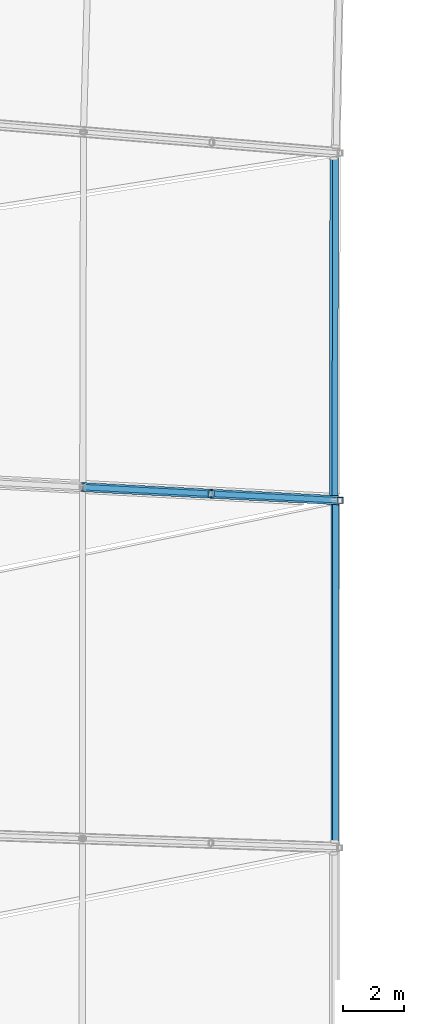
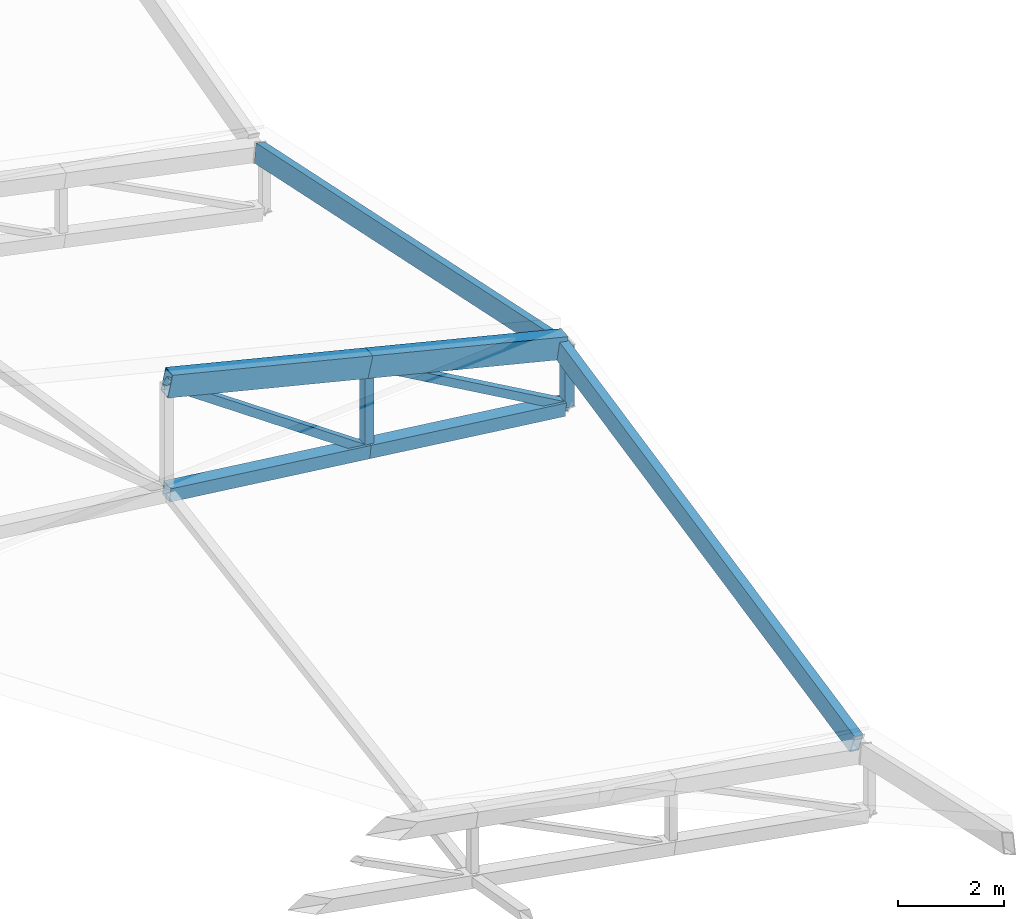
# One storey, part 124 of 344: 8 members, 2 beams.
"""IFC4 building model written with IfcOpenShell, lengths in metres."""

from ifc_helpers import new_model, si_unit, direction, frame, origin, origin_2d, place, context, subcontext, project, spatial, hollow_rectangle, extrude, material, material_profile, profile_set, type_object, element, save


model = new_model("IFC4")

# Units and contexts
model_context = context("Model", 3, precision=1e-05, world=origin(), true_north=direction((0.0, 1.0)))
body_context = subcontext(model_context, "Body", "Model", "MODEL_VIEW")
ifc_project = project(units=[si_unit("LENGTHUNIT", "METRE"), si_unit("AREAUNIT", "SQUARE_METRE"), si_unit("VOLUMEUNIT", "CUBIC_METRE"), si_unit("PLANEANGLEUNIT", "RADIAN"), si_unit("MASSUNIT", "GRAM", prefix="KILO")], contexts=[model_context])

# Site, building, storey
site_placement = place(None, origin())
site = spatial("IfcSite", under=ifc_project, at=site_placement, CompositionType="ELEMENT")
building_placement = place(site_placement, origin())
building = spatial("IfcBuilding", under=site, at=building_placement, Name="Meseta Stadium", CompositionType="ELEMENT")
storey_placement = place(building_placement, frame((0.0, 0.0, 24.0)))
storey = spatial("IfcBuildingStorey", under=building, at=storey_placement, Name="L04", CompositionType="ELEMENT", Elevation=24.0)

# Beams
ifc_material_1 = material(Name="Steel S355", Category="steel")
ifc_material_profile_1 = material_profile(ifc_material_1, hollow_rectangle(XDim=0.199951171875, YDim=0.39990234375, WallThickness=0.01611328125, at=origin_2d()), Name="RHS 400x200x16")
ifc_profile_set_1 = profile_set([ifc_material_profile_1], Name="Steel S355")
beam_type = type_object("IfcBeamType", Name="RHS 400x200x16 tip ring beam", PredefinedType="BEAM", material=ifc_profile_set_1)
beam_1_placement = place(storey_placement, frame((-47.18701171875, 39.6552734375, 2.591796875), z_axis=(-0.000727029531, -0.978410682572, 0.206668835717), x_axis=(0.976934285994, -0.044826790647, -0.208782086612)))
element("IfcBeam", 1, at=beam_1_placement, inside=storey, type_object=beam_type, Name="TIP RING BEAM 30", PredefinedType="BEAM", context=body_context, shape_type="SweptSolid", body=[
    extrude(hollow_rectangle(XDim=0.199951171875, YDim=0.39990234375, WallThickness=0.01611328125, at=origin_2d()), origin(), (0.0, 0.0, 1.0), 11.41748046875),
])
beam_2_placement = place(storey_placement, frame((-47.1591796875, 28.4248046875, 4.9375), z_axis=(-0.000492895525, -0.978869082099, -0.204487352089), x_axis=(0.990388044601, 0.027806008874, -0.135492977612)))
element("IfcBeam", 2, at=beam_2_placement, inside=storey, type_object=beam_type, Name="TIP RING BEAM 31", PredefinedType="BEAM", context=body_context, shape_type="SweptSolid", body=[
    extrude(hollow_rectangle(XDim=0.199951171875, YDim=0.39990234375, WallThickness=0.01611328125, at=origin_2d()), origin(), (0.0, 0.0, 1.0), 11.392333984375),
])

# Members
ifc_material_2 = material(Name="Steel S355", Category="steel")
ifc_material_profile_2 = material_profile(ifc_material_2, hollow_rectangle(XDim=0.300048828125, YDim=0.5, WallThickness=0.01611328125, at=origin_2d()), Name="RHS 500x300x16")
ifc_profile_set_2 = profile_set([ifc_material_profile_2], Name="Steel S355")
member_type_1 = type_object("IfcMemberType", Name="RHS 500x300x16 top chord", PredefinedType="CHORD", material=ifc_profile_set_2)
member_1_placement = place(storey_placement, frame((-47.088623046875, 28.45849609375, 4.95703125), z_axis=(-0.976914652207, 0.050203604023, 0.207647201874), x_axis=(-0.051322234625, -0.998682145747, 0.0)))
element("IfcMember", 3, at=member_1_placement, inside=storey, type_object=member_type_1, Name="ROOF TRUSS RT-30 top chord", PredefinedType="CHORD", context=body_context, shape_type="SweptSolid", body=[
    extrude(hollow_rectangle(XDim=0.300048828125, YDim=0.5, WallThickness=0.01611328125, at=origin_2d()), origin(), (0.0, 0.0, 1.0), 4.21630859375),
])
member_2_placement = place(storey_placement, frame((-51.20751953125, 28.670166015625, 5.83251953125), z_axis=(-0.976916249712, 0.050225893339, 0.207634295547), x_axis=(-0.051344876791, -0.998680981909, 0.0)))
element("IfcMember", 4, at=member_2_placement, inside=storey, type_object=member_type_1, Name="ROOF TRUSS RT-30 top chord", PredefinedType="CHORD", context=body_context, shape_type="SweptSolid", body=[
    extrude(hollow_rectangle(XDim=0.300048828125, YDim=0.5, WallThickness=0.01611328125, at=origin_2d()), origin(), (0.0, 0.0, 1.0), 4.31640625),
])
ifc_material_3 = material(Name="Steel S355", Category="steel")
ifc_material_profile_3 = material_profile(ifc_material_3, hollow_rectangle(XDim=0.179931640625, YDim=0.179931640625, WallThickness=0.00634765625, at=origin_2d()), Name="SHS 180x180x6.3")
ifc_profile_set_3 = profile_set([ifc_material_profile_3], Name="Steel S355")
member_type_2 = type_object("IfcMemberType", Name="SHS 180x180x6.3 diagonal", PredefinedType="BRACE", material=ifc_profile_set_3)
member_3_placement = place(storey_placement, frame((-46.990966796875, 28.453369140625, 3.5361328125), z_axis=(-0.877312412955, 0.045107603654, 0.477795180143), x_axis=(-0.051347841848, -0.998680829463, 0.0)))
element("IfcMember", 5, at=member_3_placement, inside=storey, type_object=member_type_2, Name="ROOF TRUSS RT-30 diagonal", PredefinedType="BRACE", context=body_context, shape_type="SweptSolid", body=[
    extrude(hollow_rectangle(XDim=0.179931640625, YDim=0.179931640625, WallThickness=0.00634765625, at=origin_2d()), origin(), (0.0, 0.0, 1.0), 4.80615234375),
])
member_4_placement = place(storey_placement, frame((-51.20751953125, 28.670166015625, 3.88427734375), z_axis=(-0.828265804675, 0.042583373932, 0.558714965856), x_axis=(-0.051344876791, -0.998680981909, 0.0)))
element("IfcMember", 6, at=member_4_placement, inside=storey, type_object=member_type_2, Name="ROOF TRUSS RT-30 diagonal", PredefinedType="BRACE", context=body_context, shape_type="SweptSolid", body=[
    extrude(hollow_rectangle(XDim=0.179931640625, YDim=0.179931640625, WallThickness=0.00634765625, at=origin_2d()), origin(), (0.0, 0.0, 1.0), 5.091064453125),
])
ifc_material_4 = material(Name="Steel S355", Category="steel")
ifc_material_profile_4 = material_profile(ifc_material_4, hollow_rectangle(XDim=0.199951171875, YDim=0.199951171875, WallThickness=0.008056640625, at=origin_2d()), Name="SHS 200x200x8")
ifc_profile_set_4 = profile_set([ifc_material_profile_4], Name="Steel S355")
member_type_3 = type_object("IfcMemberType", Name="SHS 200x200x8 post", PredefinedType="POST", material=ifc_profile_set_4)
member_5_placement = place(storey_placement, frame((-51.20751953125, 28.670166015625, 3.88427734375), z_axis=(0.0, 0.0, 1.0), x_axis=(1.0, 0.0, 0.0)))
element("IfcMember", 7, at=member_5_placement, inside=storey, type_object=member_type_3, Name="ROOF TRUSS RT-30 post", PredefinedType="POST", context=body_context, shape_type="SweptSolid", body=[
    extrude(hollow_rectangle(XDim=0.199951171875, YDim=0.199951171875, WallThickness=0.008056640625, at=origin_2d()), origin(), (0.0, 0.0, 1.0), 1.9482421875),
])
ifc_material_5 = material(Name="Steel S355", Category="steel")
ifc_material_profile_5 = material_profile(ifc_material_5, hollow_rectangle(XDim=0.199951171875, YDim=0.199951171875, WallThickness=0.008056640625, at=origin_2d()), Name="SHS 200x200x8")
ifc_profile_set_5 = profile_set([ifc_material_profile_5], Name="Steel S355")
member_type_4 = type_object("IfcMemberType", Name="SHS 200x200x8 rim post", PredefinedType="POST", material=ifc_profile_set_5)
member_6_placement = place(storey_placement, frame((-46.990966796875, 28.453369140625, 3.5361328125), z_axis=(0.0, 0.0, 1.0), x_axis=(1.0, 0.0, 0.0)))
element("IfcMember", 8, at=member_6_placement, inside=storey, type_object=member_type_4, Name="ROOF TRUSS RT-30 post", PredefinedType="POST", context=body_context, shape_type="SweptSolid", body=[
    extrude(hollow_rectangle(XDim=0.199951171875, YDim=0.199951171875, WallThickness=0.008056640625, at=origin_2d()), origin(), (0.0, 0.0, 1.0), 1.400146484375),
])
ifc_material_6 = material(Name="Steel S355", Category="steel")
ifc_material_profile_6 = material_profile(ifc_material_6, hollow_rectangle(XDim=0.300048828125, YDim=0.300048828125, WallThickness=0.010009765625, at=origin_2d()), Name="SHS 300x300x10")
ifc_profile_set_6 = profile_set([ifc_material_profile_6], Name="Steel S355")
member_type_5 = type_object("IfcMemberType", Name="SHS 300x300x10 bottom chord", PredefinedType="CHORD", material=ifc_profile_set_6)
member_7_placement = place(storey_placement, frame((-47.090576171875, 28.45849609375, 3.54443359375), z_axis=(-0.995304510317, 0.051172923587, 0.082159988042), x_axis=(-0.051346518303, -0.998680897513, 0.0)))
element("IfcMember", 9, at=member_7_placement, inside=storey, type_object=member_type_5, Name="ROOF TRUSS RT-30 bottom chord", PredefinedType="CHORD", context=body_context, shape_type="SweptSolid", body=[
    extrude(hollow_rectangle(XDim=0.300048828125, YDim=0.300048828125, WallThickness=0.010009765625, at=origin_2d()), origin(), (0.0, 0.0, 1.0), 4.136474609375),
])
member_8_placement = place(storey_placement, frame((-51.20751953125, 28.670166015625, 3.88427734375), z_axis=(-0.995303472079, 0.051171229922, 0.082173619221), x_axis=(-0.051344876791, -0.998680981909, 0.0)))
element("IfcMember", 10, at=member_8_placement, inside=storey, type_object=member_type_5, Name="ROOF TRUSS RT-30 bottom chord", PredefinedType="CHORD", context=body_context, shape_type="SweptSolid", body=[
    extrude(hollow_rectangle(XDim=0.300048828125, YDim=0.300048828125, WallThickness=0.010009765625, at=origin_2d()), origin(), (0.0, 0.0, 1.0), 4.23681640625),
])

save(model, "model.ifc")
